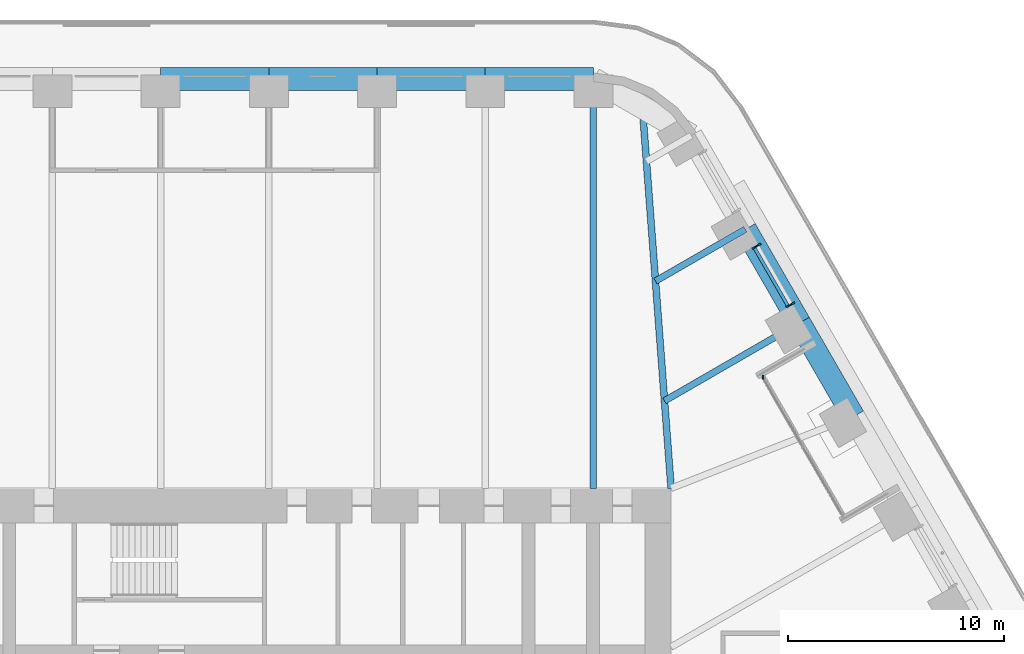
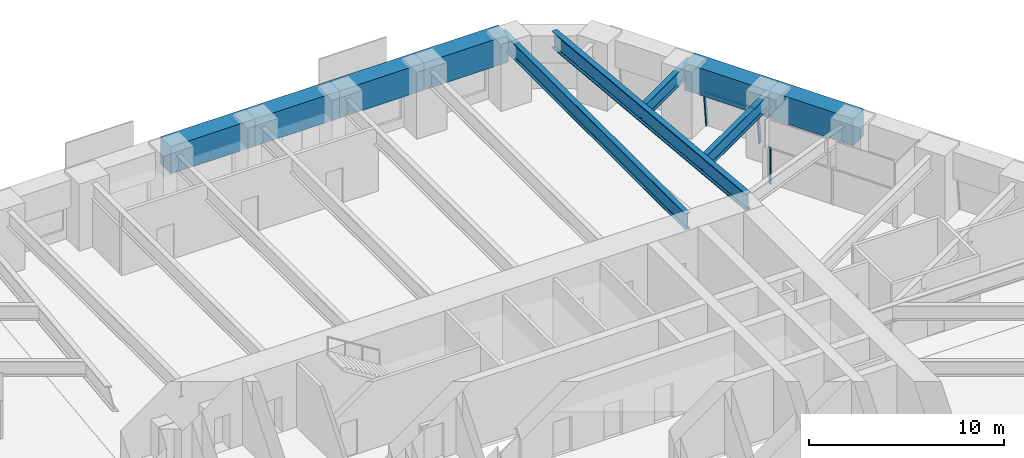
# One storey, part 12 of 24: 10 beams, 4 members, 2 elements without a shape of their own.
"""IFC4 building model written with IfcOpenShell, lengths in metres."""

import ifcopenshell
import ifcopenshell.guid

model = None  # the IFC model being written
_history = None  # IfcOwnerHistory: only IFC2X3 demands one
_inside = {}  # id of a spatial element -> (the spatial element, [elements in it])
_under = {}  # id of a project, library or spatial element -> (it, [spatial elements below it])
_declared = {}  # id of a project -> (the project, [libraries it declares])
_typed = {}  # id of a type object -> (the type object, [elements of that type])
_made_of = {}  # id of a material, layer set ... -> (it, [elements and type objects made of it])


def new_model(schema):
    """Start an empty IFC model of exactly this schema.

    Asked for "IFC4X3", IfcOpenShell would pick the latest addendum, in which some entities
    have other attributes; the version numbers below select the first issue.
    IFC2X3 requires an IfcOwnerHistory on every rooted entity: one is made here for all.
    """
    global model, _history
    if schema == "IFC4X3":
        model = ifcopenshell.file(schema_version=(4, 3, 0, 0))
    else:
        model = ifcopenshell.file(schema=schema)
    _inside.clear()
    _under.clear()
    _declared.clear()
    _typed.clear()
    _made_of.clear()
    _history = None
    if model.schema == "IFC2X3":
        org = make("IfcOrganization", Name="unknown")
        user = make(
            "IfcPersonAndOrganization",
            ThePerson=make("IfcPerson", FamilyName="unknown"),
            TheOrganization=org,
        )
        app = make(
            "IfcApplication",
            ApplicationDeveloper=org,
            Version="unknown",
            ApplicationFullName="unknown",
            ApplicationIdentifier="unknown",
        )
        _history = make(
            "IfcOwnerHistory",
            OwningUser=user,
            OwningApplication=app,
            ChangeAction="ADDED",
            CreationDate=0,
        )
    return model


def make(cls, **values):
    """One entity of the class cls with the attributes given. An attribute that is None is left unset."""
    return model.create_entity(
        cls, **{name: value for name, value in values.items() if value is not None}
    )


def rooted(cls, **values):
    """An entity with a GlobalId (a new one), such as an element, a storey or a relation."""
    return make(cls, GlobalId=ifcopenshell.guid.new(), OwnerHistory=_history, **values)


def si_unit(unit_type, name, prefix=None):
    """IfcSIUnit, for example si_unit("LENGTHUNIT", "METRE", prefix="MILLI")."""
    return make("IfcSIUnit", UnitType=unit_type, Prefix=prefix, Name=name)


def assignment(units):
    """IfcUnitAssignment: the units of a project."""
    return None if units is None else make("IfcUnitAssignment", Units=units)


def point(xyz):
    """IfcCartesianPoint."""
    return None if xyz is None else make("IfcCartesianPoint", Coordinates=xyz)


def direction(xyz):
    """IfcDirection."""
    return None if xyz is None else make("IfcDirection", DirectionRatios=xyz)


def frame(location, z_axis=None, x_axis=None):
    """IfcAxis2Placement3D, a coordinate frame: its origin and axes. An axis left out is left unset."""
    return make(
        "IfcAxis2Placement3D",
        Location=point(location),
        Axis=direction(z_axis),
        RefDirection=direction(x_axis),
    )


def frame_2d(location, x_axis=None):
    """IfcAxis2Placement2D, a coordinate frame in the plane: its origin and x axis."""
    return make(
        "IfcAxis2Placement2D", Location=point(location), RefDirection=direction(x_axis)
    )


def origin():
    """The frame at (0, 0, 0) with its axes left unset."""
    return frame((0.0, 0.0, 0.0))


def origin_2d():
    """The frame at (0, 0) in the plane with its x axis left unset."""
    return frame_2d((0.0, 0.0))


def place(relative_to, where):
    """IfcLocalPlacement: puts the frame where relative to a parent placement (None: the world)."""
    return make(
        "IfcLocalPlacement", PlacementRelTo=relative_to, RelativePlacement=where
    )


def context(
    kind, dimensions, precision=None, world=None, true_north=None, identifier=None
):
    """IfcGeometricRepresentationContext, for example the 3D "Model" context."""
    return make(
        "IfcGeometricRepresentationContext",
        ContextIdentifier=identifier,
        ContextType=kind,
        CoordinateSpaceDimension=dimensions,
        Precision=precision,
        WorldCoordinateSystem=world,
        TrueNorth=true_north,
    )


def subcontext(parent, identifier, kind, view, scale=None):
    """IfcGeometricRepresentationSubContext, for example "Body" below "Model"."""
    return make(
        "IfcGeometricRepresentationSubContext",
        ContextIdentifier=identifier,
        ContextType=kind,
        ParentContext=parent,
        TargetScale=scale,
        TargetView=view,
    )


def project(units=None, contexts=None):
    """IfcProject with its units and contexts."""
    return rooted(
        "IfcProject",
        Name="project",
        RepresentationContexts=contexts,
        UnitsInContext=assignment(units),
    )


def spatial(cls, under=None, at=None, **own):
    """A site, building, storey or space (cls), placed at a placement, below another one or the project."""
    s = rooted(cls, ObjectPlacement=at, **own)
    if under is not None:
        _under.setdefault(under.id(), (under, []))[1].append(s)
    return s


def profile(cls, at=None, kind="AREA", **sizes):
    """A parametric profile (cls). Its sizes go by their IFC names, for example OverallWidth=200.0."""
    return make(cls, ProfileType=kind, Position=at, **sizes)


def rectangle(**sizes):
    """IfcRectangleProfileDef."""
    return profile("IfcRectangleProfileDef", **sizes)


def i_section(**sizes):
    """IfcIShapeProfileDef."""
    return profile("IfcIShapeProfileDef", **sizes)


def extrude(swept, where, along, depth):
    """IfcExtrudedAreaSolid: the profile swept, set in the frame where, extruded along a direction by depth."""
    return make(
        "IfcExtrudedAreaSolid",
        SweptArea=swept,
        Position=where,
        ExtrudedDirection=direction(along),
        Depth=depth,
    )


def shape(context_of_items, identifier, shape_type, items):
    """IfcShapeRepresentation: the items that make up one representation, for example the "Body"."""
    return make(
        "IfcShapeRepresentation",
        ContextOfItems=context_of_items,
        RepresentationIdentifier=identifier,
        RepresentationType=shape_type,
        Items=items,
    )


def material(Name=None, Category=None):
    """IfcMaterial."""
    return make("IfcMaterial", Name=Name, Category=Category)


def material_profile(
    of_material, cross_section, Name=None, Category=None, Priority=None
):
    """IfcMaterialProfile: a cross section and its material."""
    return make(
        "IfcMaterialProfile",
        Name=Name,
        Material=of_material,
        Profile=cross_section,
        Priority=Priority,
        Category=Category,
    )


def profile_set(profiles, Name=None, composite=None):
    """IfcMaterialProfileSet."""
    return make(
        "IfcMaterialProfileSet",
        Name=Name,
        MaterialProfiles=profiles,
        CompositeProfile=composite,
    )


def made_of(thing, what):
    """Note that an element or type object is made of a material, layer set ...; save() writes the relation."""
    if what is not None:
        _made_of.setdefault(what.id(), (what, []))[1].append(thing)
    return thing


def type_object(cls, material=None, **own):
    """A type object (cls), such as IfcWallType, which elements share."""
    return made_of(rooted(cls, **own), material)


def element(
    cls,
    number,
    at=None,
    inside=None,
    cuts=None,
    type_object=None,
    material=None,
    context=None,
    identifier="Body",
    shape_type=None,
    held_by="IfcProductDefinitionShape",
    body=None,
    shapes=None,
    **own,
):
    """One element of the class cls, such as IfcWall. Its Tag is "e" and its number.

    at: its placement. inside: the storey or other place that contains it. cuts: it is an
    opening in that element (IfcRelVoidsElement). A single representation is given by context,
    identifier, shape_type and body (its items); several are given by shapes. held_by: the class
    of the entity that holds the representations. save() writes the other relations.
    """
    e = rooted(cls, Tag="e%d" % number, ObjectPlacement=at, **own)
    if body is not None:
        shapes = [shape(context, identifier, shape_type, body)]
    if shapes is not None:
        e.Representation = make(held_by, Representations=shapes)
    if inside is not None:
        _inside.setdefault(inside.id(), (inside, []))[1].append(e)
    if cuts is not None:
        rooted(
            "IfcRelVoidsElement", RelatingBuildingElement=cuts, RelatedOpeningElement=e
        )
    if type_object is not None:
        _typed.setdefault(type_object.id(), (type_object, []))[1].append(e)
    return made_of(e, material)


def aggregate(whole, parts):
    """IfcRelAggregates: a whole, such as a stair, and the parts it consists of."""
    return rooted("IfcRelAggregates", RelatingObject=whole, RelatedObjects=parts)


def save(model, path):
    """Write the relations noted so far, then the file.

    IfcRelAggregates (storeys below a building ...), IfcRelContainedInSpatialStructure (elements
    in a storey), IfcRelDefinesByType, IfcRelAssociatesMaterial and IfcRelDeclares: one each for
    every whole, place, type object, material and project.
    """
    for whole, parts in _under.values():
        aggregate(whole, parts)
    for where, things in _inside.values():
        rooted(
            "IfcRelContainedInSpatialStructure",
            RelatedElements=things,
            RelatingStructure=where,
        )
    for kind, things in _typed.values():
        rooted("IfcRelDefinesByType", RelatedObjects=things, RelatingType=kind)
    for what, things in _made_of.values():
        rooted("IfcRelAssociatesMaterial", RelatedObjects=things, RelatingMaterial=what)
    for by, libraries in _declared.values():
        rooted("IfcRelDeclares", RelatingContext=by, RelatedDefinitions=libraries)
    model.write(path)


model = new_model("IFC4")

# Units and contexts
model_context = context("Model", 3, precision=1e-05, world=origin(), true_north=direction((0.0, 1.0)))
body_context = subcontext(model_context, "Body", "Model", "MODEL_VIEW")
ifc_project = project(units=[si_unit("LENGTHUNIT", "METRE"), si_unit("AREAUNIT", "SQUARE_METRE"), si_unit("VOLUMEUNIT", "CUBIC_METRE"), si_unit("PLANEANGLEUNIT", "RADIAN"), si_unit("MASSUNIT", "GRAM", prefix="KILO")], contexts=[model_context])

# Site, building, storey
site_placement = place(None, origin())
site = spatial("IfcSite", under=ifc_project, at=site_placement, CompositionType="ELEMENT")
building_placement = place(site_placement, origin())
building = spatial("IfcBuilding", under=site, at=building_placement, Name="Tarfa Lantern Tower", CompositionType="ELEMENT")
storey_placement = place(building_placement, frame((0.0, 0.0, 123.699951171875)))
storey = spatial("IfcBuildingStorey", under=building, at=storey_placement, Name="L27", CompositionType="ELEMENT", Elevation=123.699951171875)

# Curtain wall, members
ifc_material_1 = material(Name="Aluminium framed curtain wall", Category="aluminium")
curtain_wall_type_1 = type_object("IfcCurtainWallType", Name="CW2 CANTED GLAZING MID ZONE 2300", PredefinedType="USERDEFINED", material=ifc_material_1)
curtain_wall_1_placement = place(storey_placement, origin())
curtain_wall_1 = element("IfcCurtainWall", 1, at=curtain_wall_1_placement, inside=storey, type_object=curtain_wall_type_1, Name="CW2 NEB L27", ObjectType="CURTAIN WALL", PredefinedType="USERDEFINED")
ifc_material_2 = material(Name="Aluminium mullion", Category="aluminium")
ifc_material_profile_1 = material_profile(ifc_material_2, rectangle(XDim=0.06494140625, YDim=0.199951171875, at=origin_2d()), Name="AL MULLION 65x200")
ifc_profile_set_1 = profile_set([ifc_material_profile_1], Name="Aluminium mullion")
member_type_1 = type_object("IfcMemberType", Name="CWM1 MULLION 65x200", PredefinedType="MULLION", material=ifc_profile_set_1)
member_1_placement = place(storey_placement, frame((24.22509765625, 20.8408203125, 0.0), z_axis=(-0.093599904765, -0.0540283554, 0.994142844183), x_axis=(0.499919672301, -0.866071776036, 0.0)))
member_1 = element("IfcMember", 2, at=member_1_placement, type_object=member_type_1, Name="CW2 mullion 1", PredefinedType="MULLION", context=body_context, shape_type="SweptSolid", body=[
    extrude(rectangle(XDim=0.06494140625, YDim=0.199951171875, at=origin_2d()), origin(), (0.0, 0.0, 1.0), 2.313720703125),
])
member_2_placement = place(storey_placement, frame((22.65576171875, 23.55908203125, 0.0), z_axis=(-0.093599904765, -0.0540283554, 0.994142844183), x_axis=(0.499919672301, -0.866071776036, 0.0)))
member_2 = element("IfcMember", 3, at=member_2_placement, type_object=member_type_1, Name="CW2 mullion 2", PredefinedType="MULLION", context=body_context, shape_type="SweptSolid", body=[
    extrude(rectangle(XDim=0.06494140625, YDim=0.199951171875, at=origin_2d()), origin(), (0.0, 0.0, 1.0), 2.313720703125),
])

# Curtain wall, member
curtain_wall_type_2 = type_object("IfcCurtainWallType", Name="CW10 LOGGIA GLAZING 2300", PredefinedType="USERDEFINED", material=ifc_material_1)
curtain_wall_2_placement = place(storey_placement, origin())
curtain_wall_2 = element("IfcCurtainWall", 4, at=curtain_wall_2_placement, inside=storey, type_object=curtain_wall_type_2, Name="CW10 NEL L27", ObjectType="CURTAIN WALL", PredefinedType="USERDEFINED")
member_3_placement = place(storey_placement, frame((22.84619140625, 17.429443359375, 0.0), z_axis=(0.0, 0.0, 1.0), x_axis=(1.0, 0.0, 0.0)))
member_3 = element("IfcMember", 5, at=member_3_placement, type_object=member_type_1, Name="CW10 mullion 3", PredefinedType="MULLION", context=body_context, shape_type="SweptSolid", body=[
    extrude(rectangle(XDim=0.06494140625, YDim=0.199951171875, at=origin_2d()), origin(), (0.0, 0.0, 1.0), 2.300048828125),
])
aggregate(curtain_wall_2, [member_3])

# Member
ifc_material_3 = material(Name="Aluminium transom", Category="aluminium")
ifc_material_profile_2 = material_profile(ifc_material_3, rectangle(XDim=0.14990234375, YDim=0.06494140625, at=origin_2d()), Name="AL TRANSOM 150x65")
ifc_profile_set_2 = profile_set([ifc_material_profile_2], Name="Aluminium transom")
member_type_2 = type_object("IfcMemberType", Name="CWT1 TRANSOM 150x65", PredefinedType="USERDEFINED", material=ifc_profile_set_2)
member_4_placement = place(storey_placement, frame((23.995361328125, 20.745849609375, 2.267578125), z_axis=(-0.500008936691, 0.866020244122, 0.0), x_axis=(-0.866020244122, -0.500008936691, 0.0)))
member_4 = element("IfcMember", 6, at=member_4_placement, type_object=member_type_2, Name="CW2 transom 1.2", ObjectType="TRANSOM", PredefinedType="USERDEFINED", context=body_context, shape_type="SweptSolid", body=[
    extrude(rectangle(XDim=0.14990234375, YDim=0.06494140625, at=origin_2d()), origin(), (0.0, 0.0, 1.0), 3.07373046875),
])

aggregate(curtain_wall_1, [member_1, member_2, member_4])

# Beams
ifc_material_4 = material(Name="Concrete C80/95", Category="concrete")
ifc_material_profile_3 = material_profile(ifc_material_4, rectangle(XDim=1.050048828125, YDim=1.699951171875, at=origin_2d()), Name="RC 1050x1700")
ifc_profile_set_3 = profile_set([ifc_material_profile_3], Name="Concrete C80/95")
beam_type_1 = type_object("IfcBeamType", Name="RB2 RC 1050x1700", PredefinedType="BEAM", material=ifc_profile_set_3)
for number, where, z_axis, x_axis, name in (
    (7, (27.037353515625, 15.610107421875, 3.150146484375), (-0.500022324899, 0.866012514114, 0.0), (-0.866012514114, -0.500022324899, 0.0), "Edge beam NE3"),
    (8, (24.535400390625, 19.943359375, 3.150146484375), (-0.49998573051, 0.866033642122, 0.0), (-0.866033642122, -0.49998573051, 0.0), "Edge beam NE4"),
    (9, (15.010986328125, 31.219970703125, 3.150146484375), (-1.0, 0.0, 0.0), (0.0, -1.0, 0.0), "Edge beam N0"),
    (10, (10.00732421875, 31.219970703125, 3.150146484375), (-1.0, 0.0, 0.0), (0.0, -1.0, 0.0), "Edge beam N1"),
    (11, (5.003662109375, 31.219970703125, 3.150146484375), (-1.0, 0.0, 0.0), (0.0, -1.0, 0.0), "Edge beam N2"),
    (12, (0.0, 31.219970703125, 3.150146484375), (-1.0, 0.0, 0.0), (0.0, -1.0, 0.0), "Edge beam N3"),
):
    element("IfcBeam", number, at=place(storey_placement, frame(where, z_axis=z_axis, x_axis=x_axis)), inside=storey, type_object=beam_type_1, Name=name, PredefinedType="BEAM", context=body_context, shape_type="SweptSolid", body=[
        extrude(rectangle(XDim=1.050048828125, YDim=1.699951171875, at=origin_2d()), origin(), (0.0, 0.0, 1.0), 5.003662109375),
    ])
ifc_material_5 = material(Name="Steel S460M", Category="steel")
ifc_material_profile_4 = material_profile(ifc_material_5, i_section(OverallWidth=0.302001953125, OverallDepth=1.008056640625, WebThickness=0.02099609375, FlangeThickness=0.0400390625, FilletRadius=0.030029296875, at=origin_2d()), Name="UB1016x305x349")
ifc_profile_set_4 = profile_set([ifc_material_profile_4], Name="Steel S460M")
beam_type_2 = type_object("IfcBeamType", Name="UB1016x305x349", PredefinedType="BEAM", material=ifc_profile_set_4)
beam_1_placement = place(storey_placement, frame((15.010986328125, 31.219970703125, 3.49609375), z_axis=(0.0, -1.0, 0.0), x_axis=(1.0, 0.0, 0.0)))
element("IfcBeam", 13, at=beam_1_placement, inside=storey, type_object=beam_type_2, Name="Floor beam N0", PredefinedType="BEAM", context=body_context, shape_type="SweptSolid", body=[
    extrude(i_section(OverallWidth=0.302001953125, OverallDepth=1.008056640625, WebThickness=0.02099609375, FlangeThickness=0.0400390625, FilletRadius=0.030029296875, at=origin_2d()), origin(), (0.0, 0.0, 1.0), 18.919921875),
])
ifc_material_profile_5 = material_profile(ifc_material_5, i_section(OverallWidth=0.314208984375, OverallDepth=1.055908203125, WebThickness=0.035888671875, FlangeThickness=0.06396484375, FilletRadius=0.030029296875, at=origin_2d()), Name="UB1016x305x584")
ifc_profile_set_5 = profile_set([ifc_material_profile_5], Name="Steel S460M")
beam_type_3 = type_object("IfcBeamType", Name="UB1016x305x584", PredefinedType="BEAM", material=ifc_profile_set_5)
beam_2_placement = place(storey_placement, frame((18.60009765625, 12.300048828125, 3.47216796875), z_axis=(-0.075211516041, 0.99716760269, 0.0), x_axis=(-0.99716760269, -0.075211516041, 0.0)))
element("IfcBeam", 14, at=beam_2_placement, inside=storey, type_object=beam_type_3, Name="Hip girder NE", PredefinedType="BEAM", context=body_context, shape_type="SweptSolid", body=[
    extrude(i_section(OverallWidth=0.314208984375, OverallDepth=1.055908203125, WebThickness=0.035888671875, FlangeThickness=0.06396484375, FilletRadius=0.030029296875, at=origin_2d()), origin(), (0.0, 0.0, 1.0), 17.6650390625),
])
ifc_material_profile_6 = material_profile(ifc_material_5, i_section(OverallWidth=0.305419921875, OverallDepth=0.91845703125, WebThickness=0.017333984375, FlangeThickness=0.02783203125, FilletRadius=0.01904296875, at=origin_2d()), Name="UB914x305x253")
ifc_profile_set_6 = profile_set([ifc_material_profile_6], Name="Steel S460M")
beam_type_4 = type_object("IfcBeamType", Name="UB914x305x253", PredefinedType="BEAM", material=ifc_profile_set_6)
beam_3_placement = place(storey_placement, frame((24.535400390625, 19.943359375, 3.540771484375), z_axis=(-0.86602647304, -0.499998147991, 0.0), x_axis=(0.499998147991, -0.86602647304, 0.0)))
element("IfcBeam", 15, at=beam_3_placement, inside=storey, type_object=beam_type_4, Name="Floor beam NE4", PredefinedType="BEAM", context=body_context, shape_type="SweptSolid", body=[
    extrude(i_section(OverallWidth=0.305419921875, OverallDepth=0.91845703125, WebThickness=0.017333984375, FlangeThickness=0.02783203125, FilletRadius=0.01904296875, at=origin_2d()), origin(), (0.0, 0.0, 1.0), 7.20556640625),
])
beam_4_placement = place(storey_placement, frame((22.03369140625, 24.276611328125, 3.540771484375), z_axis=(-0.866030550462, -0.499991085587, 0.0), x_axis=(0.499991085587, -0.866030550462, 0.0)))
element("IfcBeam", 16, at=beam_4_placement, inside=storey, type_object=beam_type_4, Name="Floor beam NE5", PredefinedType="BEAM", context=body_context, shape_type="SweptSolid", body=[
    extrude(i_section(OverallWidth=0.305419921875, OverallDepth=0.91845703125, WebThickness=0.017333984375, FlangeThickness=0.02783203125, FilletRadius=0.01904296875, at=origin_2d()), origin(), (0.0, 0.0, 1.0), 4.798828125),
])

save(model, "model.ifc")
